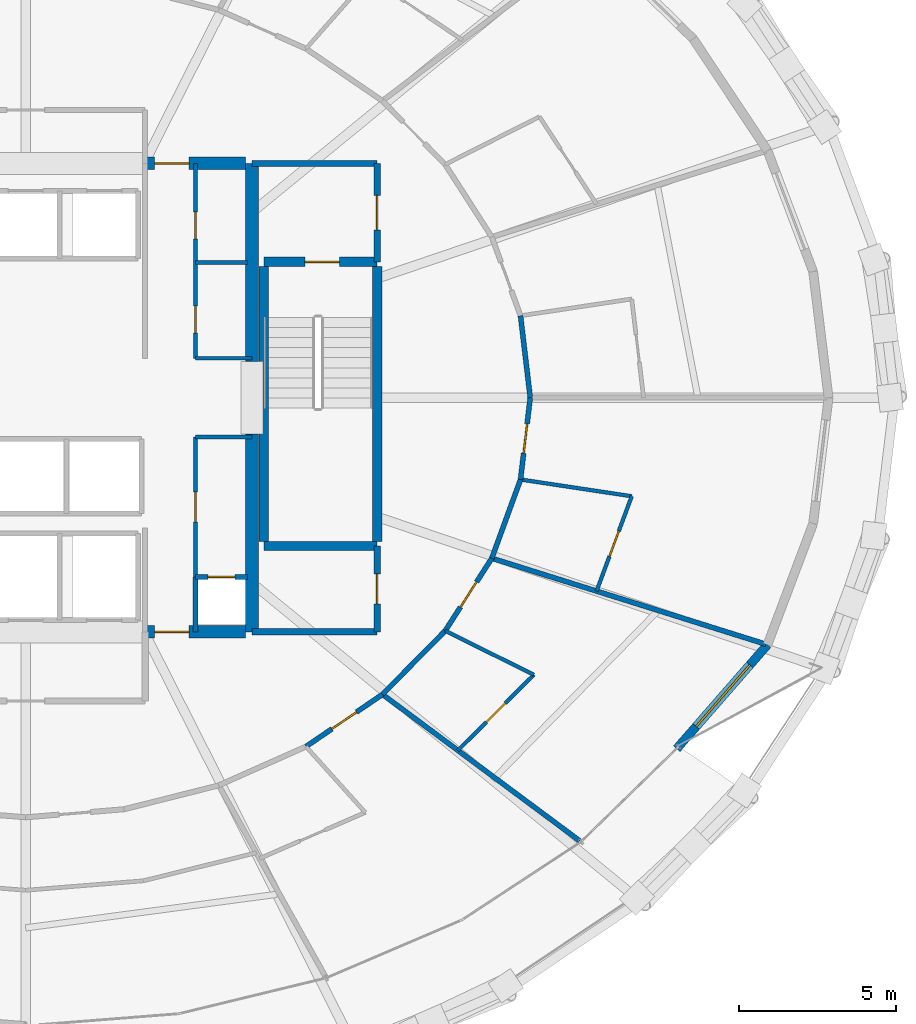
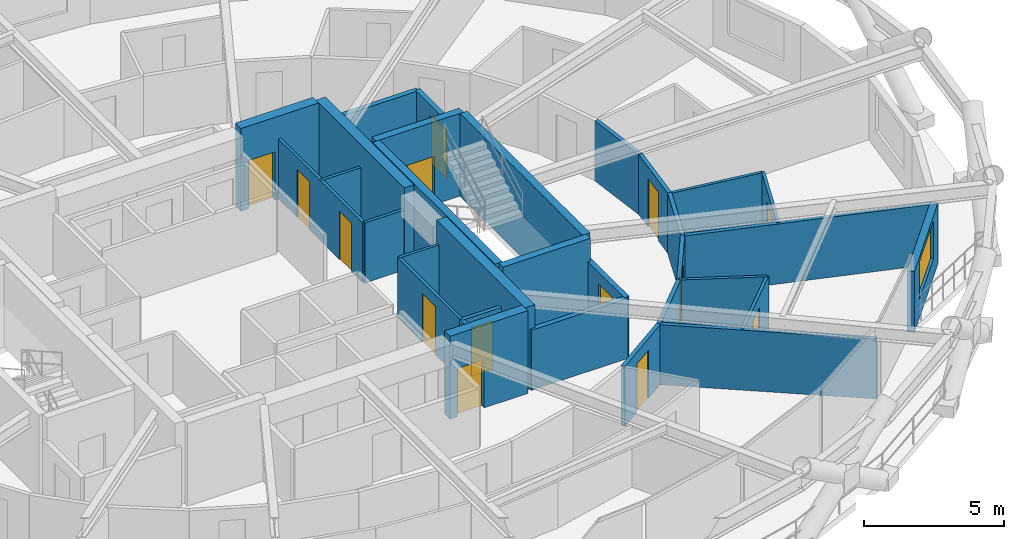
# One storey, part 13 of 17: 32 walls, 14 doors, 1 window, 15 openings.
"""IFC4 building model written with IfcOpenShell, lengths in metres."""

from ifc_helpers import new_model, si_unit, direction, frame, frame_2d, origin, place, context, subcontext, project, spatial, rectangle, extrude, material, layer, layer_set, type_object, element, fill, save


model = new_model("IFC4")

# Units and contexts
model_context = context("Model", 3, precision=1e-05, world=origin(), true_north=direction((0.0, 1.0)))
body_context = subcontext(model_context, "Body", "Model", "MODEL_VIEW")
ifc_project = project(units=[si_unit("LENGTHUNIT", "METRE"), si_unit("AREAUNIT", "SQUARE_METRE"), si_unit("VOLUMEUNIT", "CUBIC_METRE"), si_unit("PLANEANGLEUNIT", "RADIAN"), si_unit("MASSUNIT", "GRAM", prefix="KILO")], contexts=[model_context])

# Site, building, storey
site_placement = place(None, origin())
site = spatial("IfcSite", under=ifc_project, at=site_placement, CompositionType="ELEMENT")
building_placement = place(site_placement, origin())
building = spatial("IfcBuilding", under=site, at=building_placement, Name="Veldorina Hangang Commons", CompositionType="ELEMENT")
storey_placement = place(building_placement, frame((0.0, 0.0, 30.39990234375)))
storey = spatial("IfcBuildingStorey", under=building, at=storey_placement, Name="L06", CompositionType="ELEMENT", Elevation=30.39990234375)

# Walls
ifc_material_1 = material(Name="Concrete C70/85", Category="concrete")
ifc_layer_1 = layer(ifc_material_1, 0.39990234375)
ifc_layer_set_1 = layer_set([ifc_layer_1], Name="Concrete C70/85")
wall_type_1 = type_object("IfcWallType", Name="CW-RC400-C70", PredefinedType="SHEAR", material=ifc_layer_set_1)
for number, where, z_axis, x_axis, name in (
    (1, (39.199951171875, 16.550048828125, 0.0), (0.0, 0.0, 1.0), (0.0, 1.0, 0.0), "L06 E south core shear wall"),
    (2, (39.199951171875, 25.14990234375, 0.0), (0.0, 0.0, 1.0), (0.0, 1.0, 0.0), "L06 E north core shear wall"),
):
    element("IfcWall", number, at=place(storey_placement, frame(where, z_axis=z_axis, x_axis=x_axis)), inside=storey, type_object=wall_type_1, Name=name, PredefinedType="SHEAR", context=body_context, shape_type="SweptSolid", body=[
        extrude(rectangle(XDim=6.300048828125, YDim=0.39990234375, at=frame_2d((3.14990234375, 0.0))), origin(), (0.0, 0.0, 1.0), 3.60009765625),
    ])

# Wall, opening, door
wall_1_placement = place(storey_placement, frame((35.800048828125, 16.550048828125, 0.0), z_axis=(0.0, 0.0, 1.0), x_axis=(1.0, 0.0, 0.0)))
wall_1 = element("IfcWall", 3, at=wall_1_placement, inside=storey, type_object=wall_type_1, Name="L06 south-east core shear wall", PredefinedType="SHEAR", context=body_context, shape_type="SweptSolid", body=[
    extrude(rectangle(XDim=3.199951171875, YDim=0.39990234375, at=frame_2d((1.60009765625, 0.0))), origin(), (0.0, 0.0, 1.0), 3.60009765625),
])
opening_1_placement = place(wall_1_placement, frame((0.300048828125, 0.0, 0.0)))
opening_1 = element("IfcOpeningElement", 4, at=opening_1_placement, cuts=wall_1, Name="Opening D-08", PredefinedType="OPENING", context=body_context, shape_type="SweptSolid", body=[
    extrude(rectangle(XDim=1.10009765625, YDim=2.10009765625, at=frame_2d((0.550048828125, 1.050048828125))), frame((0.0, 0.2099609375, 0.0), z_axis=(0.0, -1.0, 0.0), x_axis=(1.0, 0.0, 0.0)), (0.0, 0.0, 1.0), 0.419921875),
])
ifc_material_2 = material(Name="Steel Fire-Rated Smoke Seal", Category="steel")
door_type_1 = type_object("IfcDoorType", Name="DR-FIRE-1100", OperationType="SINGLE_SWING_RIGHT", PredefinedType="DOOR", material=ifc_material_2)
door_1_placement = place(opening_1_placement, origin())
door_1 = element("IfcDoor", 5, at=door_1_placement, inside=storey, type_object=door_type_1, Name="L06 central lift lobby south corridor door", OperationType="SINGLE_SWING_RIGHT", OverallHeight=2.10009765625, OverallWidth=1.10009765625, PredefinedType="DOOR", context=body_context, shape_type="SweptSolid", body=[
    extrude(rectangle(XDim=1.10009765625, YDim=2.10009765625, at=frame_2d((0.550048828125, 1.050048828125))), frame((0.0, 0.02490234375, 0.0), z_axis=(0.0, -1.0, 0.0), x_axis=(1.0, 0.0, 0.0)), (0.0, 0.0, 1.0), 0.050048828125),
])
fill(opening_1, door_1)

wall_2_placement = place(storey_placement, frame((35.800048828125, 31.449951171875, 0.0), z_axis=(0.0, 0.0, 1.0), x_axis=(1.0, 0.0, 0.0)))
wall_2 = element("IfcWall", 6, at=wall_2_placement, inside=storey, type_object=wall_type_1, Name="L06 north-east core shear wall", PredefinedType="SHEAR", context=body_context, shape_type="SweptSolid", body=[
    extrude(rectangle(XDim=3.199951171875, YDim=0.39990234375, at=frame_2d((1.60009765625, 0.0))), origin(), (0.0, 0.0, 1.0), 3.60009765625),
])
opening_2_placement = place(wall_2_placement, frame((0.300048828125, 0.0, 0.0)))
opening_2 = element("IfcOpeningElement", 7, at=opening_2_placement, cuts=wall_2, Name="Opening D-08", PredefinedType="OPENING", context=body_context, shape_type="SweptSolid", body=[
    extrude(rectangle(XDim=1.10009765625, YDim=2.10009765625, at=frame_2d((0.550048828125, 1.050048828125))), frame((0.0, 0.2099609375, 0.0), z_axis=(0.0, -1.0, 0.0), x_axis=(1.0, 0.0, 0.0)), (0.0, 0.0, 1.0), 0.419921875),
])
door_2_placement = place(opening_2_placement, origin())
door_2 = element("IfcDoor", 8, at=door_2_placement, inside=storey, type_object=door_type_1, Name="L06 central lift lobby north corridor door", OperationType="SINGLE_SWING_LEFT", OverallHeight=2.10009765625, OverallWidth=1.10009765625, PredefinedType="DOOR", context=body_context, shape_type="SweptSolid", body=[
    extrude(rectangle(XDim=1.10009765625, YDim=2.10009765625, at=frame_2d((0.550048828125, 1.050048828125))), frame((0.0, 0.02490234375, 0.0), z_axis=(0.0, -1.0, 0.0), x_axis=(1.0, 0.0, 0.0)), (0.0, 0.0, 1.0), 0.050048828125),
])
fill(opening_2, door_2)

# Wall, opening, window
ifc_material_3 = material(Name="Stone Roman Travertine", Category="masonry")
ifc_layer_2 = layer(ifc_material_3, 0.280029296875)
ifc_layer_set_2 = layer_set([ifc_layer_2], Name="Stone Roman Travertine")
wall_type_2 = type_object("IfcWallType", Name="EW-TRAV-280", PredefinedType="STANDARD", material=ifc_layer_set_2)
wall_3_placement = place(storey_placement, frame((52.709716796875, 12.830322265625, 0.0), z_axis=(0.0, 0.0, 1.0), x_axis=(0.657287465484, 0.753639958944, 0.0)))
wall_3 = element("IfcWall", 9, at=wall_3_placement, inside=storey, type_object=wall_type_2, Name="L06 travertine facade wall 29", PredefinedType="STANDARD", context=body_context, shape_type="SweptSolid", body=[
    extrude(rectangle(XDim=4.39111328125, YDim=0.280029296875, at=frame_2d((2.195556640625, 0.0))), origin(), (0.0, 0.0, 1.0), 2.650146484375),
])
opening_3_placement = place(wall_3_placement, frame((0.941650390625, 0.0, 0.800048828125)))
opening_3 = element("IfcOpeningElement", 10, at=opening_3_placement, cuts=wall_3, Name="Opening W-02", PredefinedType="OPENING", context=body_context, shape_type="SweptSolid", body=[
    extrude(rectangle(XDim=2.60009765625, YDim=1.64990234375, at=frame_2d((1.300048828125, 0.824951171875))), frame((0.0, 0.14990234375, 0.0), z_axis=(0.0, -1.0, 0.0), x_axis=(1.0, 0.0, 0.0)), (0.0, 0.0, 1.0), 0.300048828125),
])
ifc_material_4 = material(Name="Glass Low-E Triple IGU", Category="glass")
window_type = type_object("IfcWindowType", Name="WIN-TWR-2600", PartitioningType="SINGLE_PANEL", PredefinedType="WINDOW", material=ifc_material_4)
window_placement = place(opening_3_placement, origin())
window = element("IfcWindow", 11, at=window_placement, inside=storey, type_object=window_type, Name="L06 facade window 29", OverallHeight=1.64990234375, OverallWidth=2.60009765625, PartitioningType="SINGLE_PANEL", PredefinedType="WINDOW", context=body_context, shape_type="SweptSolid", body=[
    extrude(rectangle(XDim=2.60009765625, YDim=1.64990234375, at=frame_2d((1.300048828125, 0.824951171875))), frame((0.0, 0.030029296875, 0.0), z_axis=(0.0, -1.0, 0.0), x_axis=(1.0, 0.0, 0.0)), (0.0, 0.0, 1.0), 0.06005859375),
])
fill(opening_3, window)

# Walls
ifc_material_5 = material(Name="Concrete C50/60", Category="concrete")
ifc_layer_3 = layer(ifc_material_5, 0.300048828125)
ifc_layer_set_3 = layer_set([ifc_layer_3], Name="Concrete C50/60")
wall_type_3 = type_object("IfcWallType", Name="SW-STAIR-300", PredefinedType="SHEAR", material=ifc_layer_set_3)
for number, where, z_axis, x_axis, name in (
    (12, (43.179931640625, 19.429931640625, 0.0), (0.0, 0.0, 1.0), (0.0, 1.0, 0.0), "L06 ST2 outer stair shear wall"),
    (13, (39.580078125, 19.429931640625, 0.0), (0.0, 0.0, 1.0), (0.0, 1.0, 0.0), "L06 ST2 inner stair shear wall"),
):
    element("IfcWall", number, at=place(storey_placement, frame(where, z_axis=z_axis, x_axis=x_axis)), inside=storey, type_object=wall_type_3, Name=name, PredefinedType="SHEAR", context=body_context, shape_type="SweptSolid", body=[
        extrude(rectangle(XDim=8.739990234375, YDim=0.300048828125, at=frame_2d((4.3701171875, 0.0))), origin(), (0.0, 0.0, 1.0), 3.60009765625),
    ])
wall_4_placement = place(storey_placement, frame((39.580078125, 19.280029296875, 0.0), z_axis=(0.0, 0.0, 1.0), x_axis=(1.0, 0.0, 0.0)))
element("IfcWall", 14, at=wall_4_placement, inside=storey, type_object=wall_type_3, Name="L06 ST2 south stair shear wall", PredefinedType="SHEAR", context=body_context, shape_type="SweptSolid", body=[
    extrude(rectangle(XDim=3.599853515625, YDim=0.300048828125, at=frame_2d((1.7998046875, 0.0))), origin(), (0.0, 0.0, 1.0), 3.60009765625),
])

# Wall, opening, door
wall_5_placement = place(storey_placement, frame((39.580078125, 28.320068359375, 0.0), z_axis=(0.0, 0.0, 1.0), x_axis=(1.0, 0.0, 0.0)))
wall_5 = element("IfcWall", 15, at=wall_5_placement, inside=storey, type_object=wall_type_3, Name="L06 ST2 north stair shear wall", PredefinedType="SHEAR", context=body_context, shape_type="SweptSolid", body=[
    extrude(rectangle(XDim=3.599853515625, YDim=0.300048828125, at=frame_2d((1.7998046875, 0.0))), origin(), (0.0, 0.0, 1.0), 3.60009765625),
])
opening_4_placement = place(wall_5_placement, frame((1.300048828125, 0.0, 0.0)))
opening_4 = element("IfcOpeningElement", 16, at=opening_4_placement, cuts=wall_5, Name="Opening D-08", PredefinedType="OPENING", context=body_context, shape_type="SweptSolid", body=[
    extrude(rectangle(XDim=1.10009765625, YDim=2.10009765625, at=frame_2d((0.550048828125, 1.050048828125))), frame((0.0, 0.16015625, 0.0), z_axis=(0.0, -1.0, 0.0), x_axis=(1.0, 0.0, 0.0)), (0.0, 0.0, 1.0), 0.320068359375),
])
door_3_placement = place(opening_4_placement, origin())
door_3 = element("IfcDoor", 17, at=door_3_placement, inside=storey, type_object=door_type_1, Name="L06 Special Escape Stair ST-2 door", OperationType="SINGLE_SWING_RIGHT", OverallHeight=2.10009765625, OverallWidth=1.10009765625, PredefinedType="DOOR", context=body_context, shape_type="SweptSolid", body=[
    extrude(rectangle(XDim=1.10009765625, YDim=2.10009765625, at=frame_2d((0.550048828125, 1.050048828125))), frame((0.0, 0.02490234375, 0.0), z_axis=(0.0, -1.0, 0.0), x_axis=(1.0, 0.0, 0.0)), (0.0, 0.0, 1.0), 0.050048828125),
])
fill(opening_4, door_3)

# Wall
ifc_material_6 = material(Name="Gypsum Fire-Rated Twin Stud Wall", Category="gypsum")
ifc_layer_4 = layer(ifc_material_6, 0.159912109375)
ifc_layer_set_4 = layer_set([ifc_layer_4], Name="Gypsum Fire-Rated Twin Stud Wall")
wall_type_4 = type_object("IfcWallType", Name="WL-FIRE-160", PredefinedType="SOLIDWALL", material=ifc_layer_set_4)
wall_6_placement = place(storey_placement, frame((37.39990234375, 16.550048828125, 0.0), z_axis=(0.0, 0.0, 1.0), x_axis=(0.0, 1.0, 0.0)))
element("IfcWall", 18, at=wall_6_placement, inside=storey, type_object=wall_type_4, Name="L06 Lift passage SE stub 010", PredefinedType="SOLIDWALL", context=body_context, shape_type="SweptSolid", body=[
    extrude(rectangle(XDim=1.75, YDim=0.159912109375, at=frame_2d((0.875, 0.0))), origin(), (0.0, 0.0, 1.0), 2.610107421875),
])

# Wall, opening, door
wall_7_placement = place(storey_placement, frame((37.39990234375, 18.300048828125, 0.0), z_axis=(0.0, 0.0, 1.0), x_axis=(1.0, 0.0, 0.0)))
wall_7 = element("IfcWall", 19, at=wall_7_placement, inside=storey, type_object=wall_type_4, Name="L06 Plumbing riser wall 037", PredefinedType="SOLIDWALL", context=body_context, shape_type="SweptSolid", body=[
    extrude(rectangle(XDim=1.650146484375, YDim=0.159912109375, at=frame_2d((0.8251953125, 0.0))), origin(), (0.0, 0.0, 1.0), 2.610107421875),
])
opening_5_placement = place(wall_7_placement, frame((0.39501953125, 0.0, 0.0)))
opening_5 = element("IfcOpeningElement", 20, at=opening_5_placement, cuts=wall_7, Name="Opening D-01N", PredefinedType="OPENING", context=body_context, shape_type="SweptSolid", body=[
    extrude(rectangle(XDim=0.860107421875, YDim=2.10009765625, at=frame_2d((0.43017578125, 1.050048828125))), frame((0.0, 0.08984375, 0.0), z_axis=(0.0, -1.0, 0.0), x_axis=(1.0, 0.0, 0.0)), (0.0, 0.0, 1.0), 0.179931640625),
])
ifc_material_7 = material(Name="Timber Fire-Rated Core", Category="wood")
door_type_2 = type_object("IfcDoorType", Name="DR-INT-860", OperationType="SINGLE_SWING_LEFT", PredefinedType="DOOR", material=ifc_material_7)
door_4_placement = place(opening_5_placement, origin())
door_4 = element("IfcDoor", 21, at=door_4_placement, inside=storey, type_object=door_type_2, Name="L06 Plumbing riser access door 014", OperationType="SINGLE_SWING_RIGHT", OverallHeight=2.10009765625, OverallWidth=0.860107421875, PredefinedType="TRAPDOOR", context=body_context, shape_type="SweptSolid", body=[
    extrude(rectangle(XDim=0.860107421875, YDim=2.10009765625, at=frame_2d((0.43017578125, 1.050048828125))), frame((0.0, 0.02490234375, 0.0), z_axis=(0.0, -1.0, 0.0), x_axis=(1.0, 0.0, 0.0)), (0.0, 0.0, 1.0), 0.050048828125),
])
fill(opening_5, door_4)

# Wall
wall_8_placement = place(storey_placement, frame((48.050048828125, 24.0, 0.0), z_axis=(0.0, 0.0, 1.0), x_axis=(-0.117570353762, 0.993064555765, 0.0)))
element("IfcWall", 22, at=wall_8_placement, inside=storey, type_object=wall_type_4, Name="L06 Corridor outer wall 00 047", PredefinedType="SOLIDWALL", context=body_context, shape_type="SweptSolid", body=[
    extrude(rectangle(XDim=2.622802734375, YDim=0.159912109375, at=frame_2d((1.3115234375, 0.0))), origin(), (0.0, 0.0, 1.0), 2.610107421875),
])

# Wall, opening, door
wall_9_placement = place(storey_placement, frame((40.9169921875, 12.89990234375, 0.0), z_axis=(0.0, 0.0, 1.0), x_axis=(0.825929039072, 0.563774088104, 0.0)))
wall_9 = element("IfcWall", 23, at=wall_9_placement, inside=storey, type_object=wall_type_4, Name="L06 Corridor outer wall 27 074", PredefinedType="SOLIDWALL", context=body_context, shape_type="SweptSolid", body=[
    extrude(rectangle(XDim=2.94482421875, YDim=0.159912109375, at=frame_2d((1.472412109375, 0.0))), origin(), (0.0, 0.0, 1.0), 2.610107421875),
])
opening_6_placement = place(wall_9_placement, frame((0.997314453125, 0.0, 0.0)))
opening_6 = element("IfcOpeningElement", 24, at=opening_6_placement, cuts=wall_9, Name="Opening D-03", PredefinedType="OPENING", context=body_context, shape_type="SweptSolid", body=[
    extrude(rectangle(XDim=0.949951171875, YDim=2.10009765625, at=frame_2d((0.47509765625, 1.050048828125))), frame((0.0, 0.08984375, 0.0), z_axis=(0.0, -1.0, 0.0), x_axis=(1.0, 0.0, 0.0)), (0.0, 0.0, 1.0), 0.179931640625),
])
ifc_material_8 = material(Name="Timber Fire-Rated Entrance Core", Category="wood")
door_type_3 = type_object("IfcDoorType", Name="DR-UNIT-950", OperationType="SINGLE_SWING_RIGHT", PredefinedType="DOOR", material=ifc_material_8)
door_5_placement = place(opening_6_placement, origin())
door_5 = element("IfcDoor", 25, at=door_5_placement, inside=storey, type_object=door_type_3, Name="L06 Studio 2 entrance door 024", OperationType="SINGLE_SWING_RIGHT", OverallHeight=2.10009765625, OverallWidth=0.949951171875, PredefinedType="DOOR", context=body_context, shape_type="SweptSolid", body=[
    extrude(rectangle(XDim=0.949951171875, YDim=2.10009765625, at=frame_2d((0.47509765625, 1.050048828125))), frame((0.0, 0.02490234375, 0.0), z_axis=(0.0, -1.0, 0.0), x_axis=(1.0, 0.0, 0.0)), (0.0, 0.0, 1.0), 0.050048828125),
])
fill(opening_6, door_5)

# Wall
wall_10_placement = place(storey_placement, frame((43.34912109375, 14.56005859375, 0.0), z_axis=(0.0, 0.0, 1.0), x_axis=(0.702366174226, 0.711815816981, 0.0)))
element("IfcWall", 26, at=wall_10_placement, inside=storey, type_object=wall_type_4, Name="L06 Corridor outer wall 28 075", PredefinedType="SOLIDWALL", context=body_context, shape_type="SweptSolid", body=[
    extrude(rectangle(XDim=2.842041015625, YDim=0.159912109375, at=frame_2d((1.4208984375, 0.0))), origin(), (0.0, 0.0, 1.0), 2.610107421875),
])

# Wall, opening, door
wall_11_placement = place(storey_placement, frame((45.34521484375, 16.5830078125, 0.0), z_axis=(0.0, 0.0, 1.0), x_axis=(0.540595670038, 0.841282545603, 0.0)))
wall_11 = element("IfcWall", 27, at=wall_11_placement, inside=storey, type_object=wall_type_4, Name="L06 Corridor outer wall 29 076", PredefinedType="SOLIDWALL", context=body_context, shape_type="SweptSolid", body=[
    extrude(rectangle(XDim=2.74365234375, YDim=0.159912109375, at=frame_2d((1.371826171875, 0.0))), origin(), (0.0, 0.0, 1.0), 2.610107421875),
])
opening_7_placement = place(wall_11_placement, frame((0.896728515625, 0.0, 0.0)))
opening_7 = element("IfcOpeningElement", 28, at=opening_7_placement, cuts=wall_11, Name="Opening D-03", PredefinedType="OPENING", context=body_context, shape_type="SweptSolid", body=[
    extrude(rectangle(XDim=0.949951171875, YDim=2.10009765625, at=frame_2d((0.47509765625, 1.050048828125))), frame((0.0, 0.08984375, 0.0), z_axis=(0.0, -1.0, 0.0), x_axis=(1.0, 0.0, 0.0)), (0.0, 0.0, 1.0), 0.179931640625),
])
door_6_placement = place(opening_7_placement, origin())
door_6 = element("IfcDoor", 29, at=door_6_placement, inside=storey, type_object=door_type_3, Name="L06 Studio 3 entrance door 026", OperationType="SINGLE_SWING_RIGHT", OverallHeight=2.10009765625, OverallWidth=0.949951171875, PredefinedType="DOOR", context=body_context, shape_type="SweptSolid", body=[
    extrude(rectangle(XDim=0.949951171875, YDim=2.10009765625, at=frame_2d((0.47509765625, 1.050048828125))), frame((0.0, 0.02490234375, 0.0), z_axis=(0.0, -1.0, 0.0), x_axis=(1.0, 0.0, 0.0)), (0.0, 0.0, 1.0), 0.050048828125),
])
fill(opening_7, door_6)

# Wall
wall_12_placement = place(storey_placement, frame((46.828369140625, 18.89111328125, 0.0), z_axis=(0.0, 0.0, 1.0), x_axis=(0.342617982381, 0.939474809747, 0.0)))
element("IfcWall", 30, at=wall_12_placement, inside=storey, type_object=wall_type_4, Name="L06 Corridor outer wall 30 077", PredefinedType="SOLIDWALL", context=body_context, shape_type="SweptSolid", body=[
    extrude(rectangle(XDim=2.665771484375, YDim=0.159912109375, at=frame_2d((1.3330078125, 0.0))), origin(), (0.0, 0.0, 1.0), 2.610107421875),
])

# Wall, opening, door
wall_13_placement = place(storey_placement, frame((47.74169921875, 21.3955078125, 0.0), z_axis=(0.0, 0.0, 1.0), x_axis=(0.117570353762, 0.993064555765, 0.0)))
wall_13 = element("IfcWall", 31, at=wall_13_placement, inside=storey, type_object=wall_type_4, Name="L06 Corridor outer wall 31 078", PredefinedType="SOLIDWALL", context=body_context, shape_type="SweptSolid", body=[
    extrude(rectangle(XDim=2.622802734375, YDim=0.159912109375, at=frame_2d((1.3115234375, 0.0))), origin(), (0.0, 0.0, 1.0), 2.610107421875),
])
opening_8_placement = place(wall_13_placement, frame((0.83642578125, 0.0, 0.0)))
opening_8 = element("IfcOpeningElement", 32, at=opening_8_placement, cuts=wall_13, Name="Opening D-03", PredefinedType="OPENING", context=body_context, shape_type="SweptSolid", body=[
    extrude(rectangle(XDim=0.949951171875, YDim=2.10009765625, at=frame_2d((0.47509765625, 1.050048828125))), frame((0.0, 0.08984375, 0.0), z_axis=(0.0, -1.0, 0.0), x_axis=(1.0, 0.0, 0.0)), (0.0, 0.0, 1.0), 0.179931640625),
])
door_7_placement = place(opening_8_placement, origin())
door_7 = element("IfcDoor", 33, at=door_7_placement, inside=storey, type_object=door_type_3, Name="L06 Studio 4 entrance door 028", OperationType="SINGLE_SWING_RIGHT", OverallHeight=2.10009765625, OverallWidth=0.949951171875, PredefinedType="DOOR", context=body_context, shape_type="SweptSolid", body=[
    extrude(rectangle(XDim=0.949951171875, YDim=2.10009765625, at=frame_2d((0.47509765625, 1.050048828125))), frame((0.0, 0.02490234375, 0.0), z_axis=(0.0, -1.0, 0.0), x_axis=(1.0, 0.0, 0.0)), (0.0, 0.0, 1.0), 0.050048828125),
])
fill(opening_8, door_7)

# Walls
wall_14_placement = place(storey_placement, frame((43.34912109375, 14.56005859375, 0.0), z_axis=(0.0, 0.0, 1.0), x_axis=(0.802903631364, -0.596108848065, 0.0)))
element("IfcWall", 34, at=wall_14_placement, inside=storey, type_object=wall_type_4, Name="L06 Unit party wall 28 087", PredefinedType="SOLIDWALL", context=body_context, shape_type="SweptSolid", body=[
    extrude(rectangle(XDim=7.814453125, YDim=0.159912109375, at=frame_2d((3.9072265625, 0.0))), origin(), (0.0, 0.0, 1.0), 2.610107421875),
])
wall_15_placement = place(storey_placement, frame((46.828369140625, 18.89111328125, 0.0), z_axis=(0.0, 0.0, 1.0), x_axis=(0.954123744585, -0.299412558218, 0.0)))
element("IfcWall", 35, at=wall_15_placement, inside=storey, type_object=wall_type_4, Name="L06 Unit party wall 30 090", PredefinedType="SOLIDWALL", context=body_context, shape_type="SweptSolid", body=[
    extrude(rectangle(XDim=9.138916015625, YDim=0.159912109375, at=frame_2d((4.5693359375, 0.0))), origin(), (0.0, 0.0, 1.0), 2.610107421875),
])

# Wall, opening, door
ifc_material_9 = material(Name="Concrete Blockwork Fire Wall C30/37", Category="masonry")
ifc_layer_5 = layer(ifc_material_9, 0.199951171875)
ifc_layer_set_5 = layer_set([ifc_layer_5], Name="Concrete Blockwork Fire Wall C30/37")
wall_type_5 = type_object("IfcWallType", Name="WL-FIRE-200", PredefinedType="SOLIDWALL", material=ifc_layer_set_5)
wall_16_placement = place(storey_placement, frame((43.179931640625, 28.320068359375, 0.0), z_axis=(0.0, 0.0, 1.0), x_axis=(0.0, 1.0, 0.0)))
wall_16 = element("IfcWall", 36, at=wall_16_placement, inside=storey, type_object=wall_type_5, Name="L06 East vestibule outer wall 003", PredefinedType="SOLIDWALL", context=body_context, shape_type="SweptSolid", body=[
    extrude(rectangle(XDim=3.1298828125, YDim=0.199951171875, at=frame_2d((1.56494140625, 0.0))), origin(), (0.0, 0.0, 1.0), 2.610107421875),
])
opening_9_placement = place(wall_16_placement, frame((1.014892578125, 0.0, 0.0)))
opening_9 = element("IfcOpeningElement", 37, at=opening_9_placement, cuts=wall_16, Name="Opening D-08", PredefinedType="OPENING", context=body_context, shape_type="SweptSolid", body=[
    extrude(rectangle(XDim=1.10009765625, YDim=2.10009765625, at=frame_2d((0.550048828125, 1.050048828125))), frame((0.0, 0.10986328125, 0.0), z_axis=(0.0, -1.0, 0.0), x_axis=(1.0, 0.0, 0.0)), (0.0, 0.0, 1.0), 0.219970703125),
])
door_8_placement = place(opening_9_placement, origin())
door_8 = element("IfcDoor", 38, at=door_8_placement, inside=storey, type_object=door_type_1, Name="L06 East vestibule east door 002", OperationType="SINGLE_SWING_RIGHT", OverallHeight=2.10009765625, OverallWidth=1.10009765625, PredefinedType="DOOR", context=body_context, shape_type="SweptSolid", body=[
    extrude(rectangle(XDim=1.10009765625, YDim=2.10009765625, at=frame_2d((0.550048828125, 1.050048828125))), frame((0.0, 0.02490234375, 0.0), z_axis=(0.0, -1.0, 0.0), x_axis=(1.0, 0.0, 0.0)), (0.0, 0.0, 1.0), 0.050048828125),
])
fill(opening_9, door_8)

# Wall
wall_17_placement = place(storey_placement, frame((39.199951171875, 31.449951171875, 0.0), z_axis=(0.0, 0.0, 1.0), x_axis=(1.0, 0.0, 0.0)))
element("IfcWall", 39, at=wall_17_placement, inside=storey, type_object=wall_type_5, Name="L06 East vestibule north wall 004", PredefinedType="SOLIDWALL", context=body_context, shape_type="SweptSolid", body=[
    extrude(rectangle(XDim=3.97998046875, YDim=0.199951171875, at=frame_2d((1.989990234375, 0.0))), origin(), (0.0, 0.0, 1.0), 2.610107421875),
])

# Wall, opening, door
wall_18_placement = place(storey_placement, frame((43.179931640625, 16.550048828125, 0.0), z_axis=(0.0, 0.0, 1.0), x_axis=(0.0, 1.0, 0.0)))
wall_18 = element("IfcWall", 40, at=wall_18_placement, inside=storey, type_object=wall_type_5, Name="L06 SE core room outer wall 007", PredefinedType="SOLIDWALL", context=body_context, shape_type="SweptSolid", body=[
    extrude(rectangle(XDim=2.72998046875, YDim=0.199951171875, at=frame_2d((1.364990234375, 0.0))), origin(), (0.0, 0.0, 1.0), 2.610107421875),
])
opening_10_placement = place(wall_18_placement, frame((0.889892578125, 0.0, 0.0)))
opening_10 = element("IfcOpeningElement", 41, at=opening_10_placement, cuts=wall_18, Name="Opening D-02", PredefinedType="OPENING", context=body_context, shape_type="SweptSolid", body=[
    extrude(rectangle(XDim=0.949951171875, YDim=2.10009765625, at=frame_2d((0.47509765625, 1.050048828125))), frame((0.0, 0.10986328125, 0.0), z_axis=(0.0, -1.0, 0.0), x_axis=(1.0, 0.0, 0.0)), (0.0, 0.0, 1.0), 0.219970703125),
])
ifc_material_10 = material(Name="Timber Solid Core Acoustic", Category="wood")
door_type_4 = type_object("IfcDoorType", Name="DR-INT-950", OperationType="SINGLE_SWING_LEFT", PredefinedType="DOOR", material=ifc_material_10)
door_9_placement = place(opening_10_placement, origin())
door_9 = element("IfcDoor", 42, at=door_9_placement, inside=storey, type_object=door_type_4, Name="L06 SE core WC door 004", OperationType="SINGLE_SWING_RIGHT", OverallHeight=2.10009765625, OverallWidth=0.949951171875, PredefinedType="DOOR", context=body_context, shape_type="SweptSolid", body=[
    extrude(rectangle(XDim=0.949951171875, YDim=2.10009765625, at=frame_2d((0.47509765625, 1.050048828125))), frame((0.0, 0.02490234375, 0.0), z_axis=(0.0, -1.0, 0.0), x_axis=(1.0, 0.0, 0.0)), (0.0, 0.0, 1.0), 0.050048828125),
])
fill(opening_10, door_9)

# Wall
wall_19_placement = place(storey_placement, frame((39.199951171875, 16.550048828125, 0.0), z_axis=(0.0, 0.0, 1.0), x_axis=(1.0, 0.0, 0.0)))
element("IfcWall", 43, at=wall_19_placement, inside=storey, type_object=wall_type_5, Name="L06 SE core room south wall 008", PredefinedType="SOLIDWALL", context=body_context, shape_type="SweptSolid", body=[
    extrude(rectangle(XDim=3.97998046875, YDim=0.199951171875, at=frame_2d((1.989990234375, 0.0))), origin(), (0.0, 0.0, 1.0), 2.610107421875),
])

# Wall, openings, doors
ifc_material_11 = material(Name="Gypsum Acoustic Stud Partition", Category="gypsum")
ifc_layer_6 = layer(ifc_material_11, 0.1201171875)
ifc_layer_set_6 = layer_set([ifc_layer_6], Name="Gypsum Acoustic Stud Partition")
wall_type_6 = type_object("IfcWallType", Name="WL-PART-120", PredefinedType="PARTITIONING", material=ifc_layer_set_6)
wall_20_placement = place(storey_placement, frame((37.39990234375, 25.25, 0.0), z_axis=(0.0, 0.0, 1.0), x_axis=(0.0, 1.0, 0.0)))
wall_20 = element("IfcWall", 44, at=wall_20_placement, inside=storey, type_object=wall_type_6, Name="L06 NE strip lobby wall 041", PredefinedType="PARTITIONING", context=body_context, shape_type="SweptSolid", body=[
    extrude(rectangle(XDim=6.199951171875, YDim=0.1201171875, at=frame_2d((3.10009765625, 0.0))), origin(), (0.0, 0.0, 1.0), 2.610107421875),
])
opening_11_placement = place(wall_20_placement, frame((0.800048828125, 0.0, 0.0)))
opening_11 = element("IfcOpeningElement", 45, at=opening_11_placement, cuts=wall_20, Name="Opening D-01", PredefinedType="OPENING", context=body_context, shape_type="SweptSolid", body=[
    extrude(rectangle(XDim=0.860107421875, YDim=2.10009765625, at=frame_2d((0.43017578125, 1.050048828125))), frame((0.0, 0.070068359375, 0.0), z_axis=(0.0, -1.0, 0.0), x_axis=(1.0, 0.0, 0.0)), (0.0, 0.0, 1.0), 0.14013671875),
])
opening_12_placement = place(wall_20_placement, frame((3.800048828125, 0.0, 0.0)))
opening_12 = element("IfcOpeningElement", 46, at=opening_12_placement, cuts=wall_20, Name="Opening D-01", PredefinedType="OPENING", context=body_context, shape_type="SweptSolid", body=[
    extrude(rectangle(XDim=0.860107421875, YDim=2.10009765625, at=frame_2d((0.43017578125, 1.050048828125))), frame((0.0, 0.070068359375, 0.0), z_axis=(0.0, -1.0, 0.0), x_axis=(1.0, 0.0, 0.0)), (0.0, 0.0, 1.0), 0.14013671875),
])
ifc_material_12 = material(Name="Timber Moisture-Resistant Core", Category="wood")
door_type_5 = type_object("IfcDoorType", Name="DR-WET-860", OperationType="SINGLE_SWING_LEFT", PredefinedType="DOOR", material=ifc_material_12)
door_10_placement = place(opening_11_placement, origin())
door_10 = element("IfcDoor", 47, at=door_10_placement, inside=storey, type_object=door_type_5, Name="L06 Electrical closet door 018", OperationType="SINGLE_SWING_RIGHT", OverallHeight=2.10009765625, OverallWidth=0.860107421875, PredefinedType="DOOR", context=body_context, shape_type="SweptSolid", body=[
    extrude(rectangle(XDim=0.860107421875, YDim=2.10009765625, at=frame_2d((0.43017578125, 1.050048828125))), frame((0.0, 0.02490234375, 0.0), z_axis=(0.0, -1.0, 0.0), x_axis=(1.0, 0.0, 0.0)), (0.0, 0.0, 1.0), 0.050048828125),
])
fill(opening_11, door_10)
door_11_placement = place(opening_12_placement, origin())
door_11 = element("IfcDoor", 48, at=door_11_placement, inside=storey, type_object=door_type_5, Name="L06 IT closet door 019", OperationType="SINGLE_SWING_LEFT", OverallHeight=2.10009765625, OverallWidth=0.860107421875, PredefinedType="DOOR", context=body_context, shape_type="SweptSolid", body=[
    extrude(rectangle(XDim=0.860107421875, YDim=2.10009765625, at=frame_2d((0.43017578125, 1.050048828125))), frame((0.0, 0.02490234375, 0.0), z_axis=(0.0, -1.0, 0.0), x_axis=(1.0, 0.0, 0.0)), (0.0, 0.0, 1.0), 0.050048828125),
])
fill(opening_12, door_11)

# Wall
wall_21_placement = place(storey_placement, frame((37.39990234375, 25.25, 0.0), z_axis=(0.0, 0.0, 1.0), x_axis=(1.0, 0.0, 0.0)))
element("IfcWall", 49, at=wall_21_placement, inside=storey, type_object=wall_type_6, Name="L06 NE strip south return wall 042", PredefinedType="PARTITIONING", context=body_context, shape_type="SweptSolid", body=[
    extrude(rectangle(XDim=1.800048828125, YDim=0.1201171875, at=frame_2d((0.89990234375, 0.0))), origin(), (0.0, 0.0, 1.0), 2.610107421875),
])

# Wall, opening, door
wall_22_placement = place(storey_placement, frame((37.39990234375, 18.300048828125, 0.0), z_axis=(0.0, 0.0, 1.0), x_axis=(0.0, 1.0, 0.0)))
wall_22 = element("IfcWall", 50, at=wall_22_placement, inside=storey, type_object=wall_type_6, Name="L06 SE strip lobby wall 043", PredefinedType="PARTITIONING", context=body_context, shape_type="SweptSolid", body=[
    extrude(rectangle(XDim=4.449951171875, YDim=0.1201171875, at=frame_2d((2.22509765625, 0.0))), origin(), (0.0, 0.0, 1.0), 2.610107421875),
])
opening_13_placement = place(wall_22_placement, frame((1.75, 0.0, 0.0)))
opening_13 = element("IfcOpeningElement", 51, at=opening_13_placement, cuts=wall_22, Name="Opening D-02", PredefinedType="OPENING", context=body_context, shape_type="SweptSolid", body=[
    extrude(rectangle(XDim=0.949951171875, YDim=2.10009765625, at=frame_2d((0.47509765625, 1.050048828125))), frame((0.0, 0.070068359375, 0.0), z_axis=(0.0, -1.0, 0.0), x_axis=(1.0, 0.0, 0.0)), (0.0, 0.0, 1.0), 0.14013671875),
])
door_12_placement = place(opening_13_placement, origin())
door_12 = element("IfcDoor", 52, at=door_12_placement, inside=storey, type_object=door_type_4, Name="L06 Cleaners supply door 020", OperationType="SINGLE_SWING_RIGHT", OverallHeight=2.10009765625, OverallWidth=0.949951171875, PredefinedType="DOOR", context=body_context, shape_type="SweptSolid", body=[
    extrude(rectangle(XDim=0.949951171875, YDim=2.10009765625, at=frame_2d((0.47509765625, 1.050048828125))), frame((0.0, 0.02490234375, 0.0), z_axis=(0.0, -1.0, 0.0), x_axis=(1.0, 0.0, 0.0)), (0.0, 0.0, 1.0), 0.050048828125),
])
fill(opening_13, door_12)

# Walls
wall_23_placement = place(storey_placement, frame((37.39990234375, 22.75, 0.0), z_axis=(0.0, 0.0, 1.0), x_axis=(1.0, 0.0, 0.0)))
element("IfcWall", 53, at=wall_23_placement, inside=storey, type_object=wall_type_6, Name="L06 SE strip north return wall 044", PredefinedType="PARTITIONING", context=body_context, shape_type="SweptSolid", body=[
    extrude(rectangle(XDim=1.800048828125, YDim=0.1201171875, at=frame_2d((0.89990234375, 0.0))), origin(), (0.0, 0.0, 1.0), 2.610107421875),
])
wall_24_placement = place(storey_placement, frame((37.39990234375, 28.300048828125, 0.0), z_axis=(0.0, 0.0, 1.0), x_axis=(1.0, 0.0, 0.0)))
element("IfcWall", 54, at=wall_24_placement, inside=storey, type_object=wall_type_6, Name="L06 NE mid wall 046", PredefinedType="PARTITIONING", context=body_context, shape_type="SweptSolid", body=[
    extrude(rectangle(XDim=1.650146484375, YDim=0.1201171875, at=frame_2d((0.8251953125, 0.0))), origin(), (0.0, 0.0, 1.0), 2.610107421875),
])

# Wall, opening, door
wall_25_placement = place(storey_placement, frame((45.74853515625, 12.778564453125, 0.0), z_axis=(0.0, 0.0, 1.0), x_axis=(0.709037095745, 0.705171182662, 0.0)))
wall_25 = element("IfcWall", 55, at=wall_25_placement, inside=storey, type_object=wall_type_6, Name="L06 Studio 3 bath front wall 088", PredefinedType="PARTITIONING", context=body_context, shape_type="SweptSolid", body=[
    extrude(rectangle(XDim=3.41015625, YDim=0.1201171875, at=frame_2d((1.705078125, 0.0))), origin(), (0.0, 0.0, 1.0), 2.610107421875),
])
opening_14_placement = place(wall_25_placement, frame((1.275146484375, 0.0, 0.0)))
opening_14 = element("IfcOpeningElement", 56, at=opening_14_placement, cuts=wall_25, Name="Opening D-01", PredefinedType="OPENING", context=body_context, shape_type="SweptSolid", body=[
    extrude(rectangle(XDim=0.860107421875, YDim=2.10009765625, at=frame_2d((0.43017578125, 1.050048828125))), frame((0.0, 0.070068359375, 0.0), z_axis=(0.0, -1.0, 0.0), x_axis=(1.0, 0.0, 0.0)), (0.0, 0.0, 1.0), 0.14013671875),
])
door_13_placement = place(opening_14_placement, origin())
door_13 = element("IfcDoor", 57, at=door_13_placement, inside=storey, type_object=door_type_5, Name="L06 Studio 3 bathroom door 025", OperationType="SINGLE_SWING_LEFT", OverallHeight=2.10009765625, OverallWidth=0.860107421875, PredefinedType="DOOR", context=body_context, shape_type="SweptSolid", body=[
    extrude(rectangle(XDim=0.860107421875, YDim=2.10009765625, at=frame_2d((0.43017578125, 1.050048828125))), frame((0.0, 0.02490234375, 0.0), z_axis=(0.0, -1.0, 0.0), x_axis=(1.0, 0.0, 0.0)), (0.0, 0.0, 1.0), 0.050048828125),
])
fill(opening_14, door_13)

# Wall
wall_26_placement = place(storey_placement, frame((45.34521484375, 16.5830078125, 0.0), z_axis=(0.0, 0.0, 1.0), x_axis=(0.895818192768, -0.444420707783, 0.0)))
element("IfcWall", 58, at=wall_26_placement, inside=storey, type_object=wall_type_6, Name="L06 Studio 3 bath side wall 089", PredefinedType="PARTITIONING", context=body_context, shape_type="SweptSolid", body=[
    extrude(rectangle(XDim=3.1494140625, YDim=0.1201171875, at=frame_2d((1.57470703125, 0.0))), origin(), (0.0, 0.0, 1.0), 2.610107421875),
])

# Wall, opening, door
wall_27_placement = place(storey_placement, frame((50.159912109375, 17.845703125, 0.0), z_axis=(0.0, 0.0, 1.0), x_axis=(0.347670194853, 0.937616891705, 0.0)))
wall_27 = element("IfcWall", 59, at=wall_27_placement, inside=storey, type_object=wall_type_6, Name="L06 Studio 4 bath front wall 091", PredefinedType="PARTITIONING", context=body_context, shape_type="SweptSolid", body=[
    extrude(rectangle(XDim=3.217529296875, YDim=0.1201171875, at=frame_2d((1.60888671875, 0.0))), origin(), (0.0, 0.0, 1.0), 2.610107421875),
])
opening_15_placement = place(wall_27_placement, frame((1.1787109375, 0.0, 0.0)))
opening_15 = element("IfcOpeningElement", 60, at=opening_15_placement, cuts=wall_27, Name="Opening D-01", PredefinedType="OPENING", context=body_context, shape_type="SweptSolid", body=[
    extrude(rectangle(XDim=0.860107421875, YDim=2.10009765625, at=frame_2d((0.43017578125, 1.050048828125))), frame((0.0, 0.070068359375, 0.0), z_axis=(0.0, -1.0, 0.0), x_axis=(1.0, 0.0, 0.0)), (0.0, 0.0, 1.0), 0.14013671875),
])
door_14_placement = place(opening_15_placement, origin())
door_14 = element("IfcDoor", 61, at=door_14_placement, inside=storey, type_object=door_type_5, Name="L06 Studio 4 bathroom door 027", OperationType="SINGLE_SWING_LEFT", OverallHeight=2.10009765625, OverallWidth=0.860107421875, PredefinedType="DOOR", context=body_context, shape_type="SweptSolid", body=[
    extrude(rectangle(XDim=0.860107421875, YDim=2.10009765625, at=frame_2d((0.43017578125, 1.050048828125))), frame((0.0, 0.02490234375, 0.0), z_axis=(0.0, -1.0, 0.0), x_axis=(1.0, 0.0, 0.0)), (0.0, 0.0, 1.0), 0.050048828125),
])
fill(opening_15, door_14)

# Wall
wall_28_placement = place(storey_placement, frame((47.74169921875, 21.3955078125, 0.0), z_axis=(0.0, 0.0, 1.0), x_axis=(0.988836498225, -0.149004630056, 0.0)))
element("IfcWall", 62, at=wall_28_placement, inside=storey, type_object=wall_type_6, Name="L06 Studio 4 bath side wall 092", PredefinedType="PARTITIONING", context=body_context, shape_type="SweptSolid", body=[
    extrude(rectangle(XDim=3.576904296875, YDim=0.1201171875, at=frame_2d((1.78857421875, 0.0))), origin(), (0.0, 0.0, 1.0), 2.610107421875),
])

save(model, "model.ifc")
